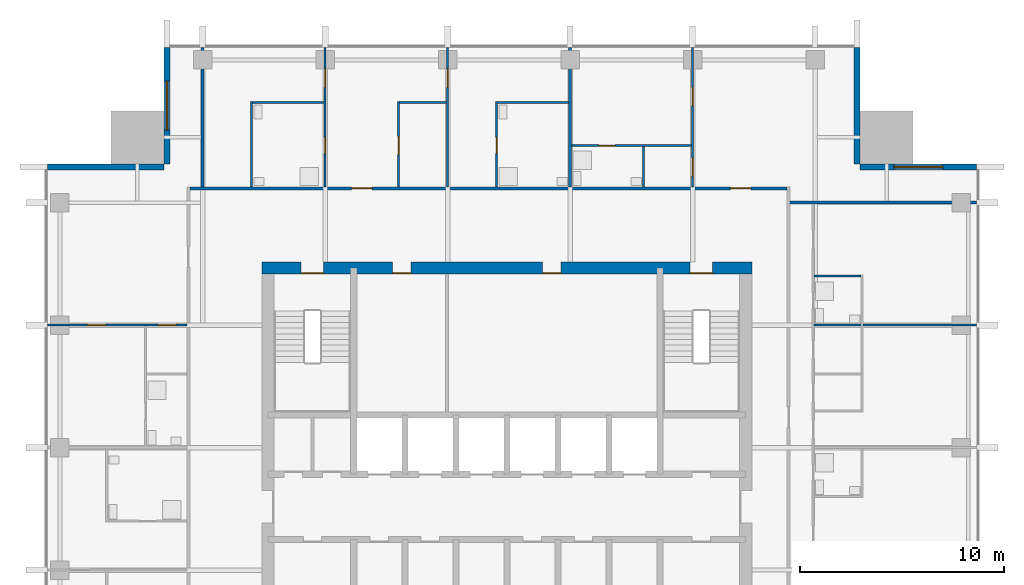
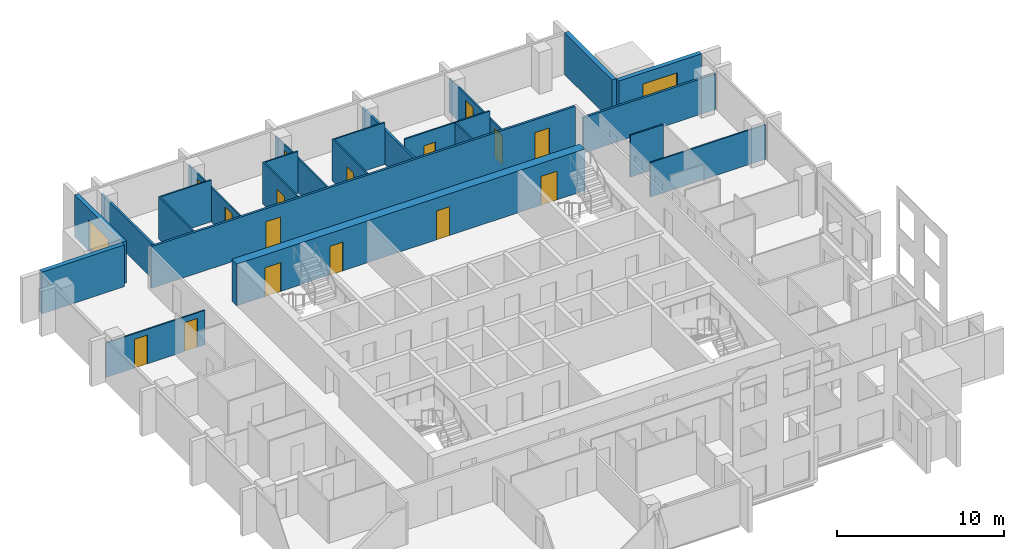
# One storey, part 7 of 11: 23 walls, 16 doors, 2 windows, 18 openings.
"""IFC4 building model written with IfcOpenShell, lengths in metres."""

from ifc_helpers import new_model, si_unit, direction, frame, frame_2d, origin, place, context, subcontext, project, spatial, rectangle, extrude, material, layer, layer_set, type_object, element, fill, save


model = new_model("IFC4")

# Units and contexts
model_context = context("Model", 3, precision=1e-05, world=origin(), true_north=direction((0.0, 1.0)))
body_context = subcontext(model_context, "Body", "Model", "MODEL_VIEW")
ifc_project = project(units=[si_unit("LENGTHUNIT", "METRE"), si_unit("AREAUNIT", "SQUARE_METRE"), si_unit("VOLUMEUNIT", "CUBIC_METRE"), si_unit("PLANEANGLEUNIT", "RADIAN"), si_unit("MASSUNIT", "GRAM", prefix="KILO")], contexts=[model_context])

# Site, building, storey
site_placement = place(None, origin())
site = spatial("IfcSite", under=ifc_project, at=site_placement, CompositionType="ELEMENT")
building_placement = place(site_placement, origin())
building = spatial("IfcBuilding", under=site, at=building_placement, Name="Amberfall Residences", CompositionType="ELEMENT")
storey_placement = place(building_placement, frame((0.0, 0.0, 196.89990234375)))
storey = spatial("IfcBuildingStorey", under=building, at=storey_placement, Name="L52", CompositionType="ELEMENT", Elevation=196.89990234375)

# Wall, opening, window
ifc_material_1 = material(Name="Pale stone cladding on insulated backing", Category="masonry")
ifc_layer_1 = layer(ifc_material_1, 0.300048828125)
ifc_layer_set_1 = layer_set([ifc_layer_1], Name="Bronze clad wall 300")
wall_type_1 = type_object("IfcWallType", Name="Bronze clad wall 300", PredefinedType="SOLIDWALL", material=ifc_layer_set_1)
wall_1_placement = place(storey_placement, frame((97.5, 62.14990234375, 0.0), z_axis=(0.0, 0.0, 1.0), x_axis=(-1.0, 0.0, 0.0)))
wall_1 = element("IfcWall", 1, at=wall_1_placement, inside=storey, type_object=wall_type_1, Name="External wall L52 NE", PredefinedType="SOLIDWALL", context=body_context, shape_type="SweptSolid", body=[
    extrude(rectangle(XDim=5.699951171875, YDim=0.300048828125, at=frame_2d((2.85009765625, 0.0))), origin(), (0.0, 0.0, 1.0), 3.050048828125),
])
opening_1_placement = place(wall_1_placement, frame((1.64990234375, 0.0, 0.14990234375)))
opening_1 = element("IfcOpeningElement", 2, at=opening_1_placement, cuts=wall_1, Name="Opening WN5", PredefinedType="OPENING", context=body_context, shape_type="SweptSolid", body=[
    extrude(rectangle(XDim=2.39990234375, YDim=2.10009765625, at=frame_2d((1.199951171875, 1.050048828125))), frame((0.0, 0.159912109375, 0.0), z_axis=(0.0, -1.0, 0.0), x_axis=(1.0, 0.0, 0.0)), (0.0, 0.0, 1.0), 0.320068359375),
])
ifc_material_2 = material(Name="Bronze aluminium framed glazing", Category="aluminium")
window_type = type_object("IfcWindowType", Name="Glazed opening 2400 x 2100 bronze", PartitioningType="DOUBLE_PANEL_VERTICAL", PredefinedType="WINDOW", material=ifc_material_2)
window_1_placement = place(opening_1_placement, origin())
window_1 = element("IfcWindow", 3, at=window_1_placement, inside=storey, type_object=window_type, Name="Window L52 NE", OverallHeight=2.10009765625, OverallWidth=2.39990234375, PartitioningType="DOUBLE_PANEL_VERTICAL", PredefinedType="WINDOW", context=body_context, shape_type="SweptSolid", body=[
    extrude(rectangle(XDim=2.39990234375, YDim=2.10009765625, at=frame_2d((1.199951171875, 1.050048828125))), frame((0.0, 0.030029296875, 0.0), z_axis=(0.0, -1.0, 0.0), x_axis=(1.0, 0.0, 0.0)), (0.0, 0.0, 1.0), 0.06005859375),
])
fill(opening_1, window_1)

# Wall
wall_2_placement = place(storey_placement, frame((91.64990234375, 62.300048828125, 0.0), z_axis=(0.0, 0.0, 1.0), x_axis=(0.0, 1.0, 0.0)))
element("IfcWall", 4, at=wall_2_placement, inside=storey, type_object=wall_type_1, Name="External wall L52 NE", PredefinedType="SOLIDWALL", context=body_context, shape_type="SweptSolid", body=[
    extrude(rectangle(XDim=5.699951171875, YDim=0.300048828125, at=frame_2d((2.85009765625, 0.0))), origin(), (0.0, 0.0, 1.0), 3.050048828125),
])

# Wall, opening, window
wall_3_placement = place(storey_placement, frame((57.85009765625, 68.0, 0.0), z_axis=(0.0, 0.0, 1.0), x_axis=(0.0, -1.0, 0.0)))
wall_3 = element("IfcWall", 5, at=wall_3_placement, inside=storey, type_object=wall_type_1, Name="External wall L52 NW", PredefinedType="SOLIDWALL", context=body_context, shape_type="SweptSolid", body=[
    extrude(rectangle(XDim=5.699951171875, YDim=0.300048828125, at=frame_2d((2.85009765625, 0.0))), origin(), (0.0, 0.0, 1.0), 3.050048828125),
])
opening_2_placement = place(wall_3_placement, frame((1.64990234375, 0.0, 0.14990234375)))
opening_2 = element("IfcOpeningElement", 6, at=opening_2_placement, cuts=wall_3, Name="Opening WN5", PredefinedType="OPENING", context=body_context, shape_type="SweptSolid", body=[
    extrude(rectangle(XDim=2.39990234375, YDim=2.10009765625, at=frame_2d((1.199951171875, 1.050048828125))), frame((0.0, 0.159912109375, 0.0), z_axis=(0.0, -1.0, 0.0), x_axis=(1.0, 0.0, 0.0)), (0.0, 0.0, 1.0), 0.320068359375),
])
window_2_placement = place(opening_2_placement, origin())
window_2 = element("IfcWindow", 7, at=window_2_placement, inside=storey, type_object=window_type, Name="Window L52 NW", OverallHeight=2.10009765625, OverallWidth=2.39990234375, PartitioningType="DOUBLE_PANEL_VERTICAL", PredefinedType="WINDOW", context=body_context, shape_type="SweptSolid", body=[
    extrude(rectangle(XDim=2.39990234375, YDim=2.10009765625, at=frame_2d((1.199951171875, 1.050048828125))), frame((0.0, 0.030029296875, 0.0), z_axis=(0.0, -1.0, 0.0), x_axis=(1.0, 0.0, 0.0)), (0.0, 0.0, 1.0), 0.06005859375),
])
fill(opening_2, window_2)

# Wall
wall_4_placement = place(storey_placement, frame((57.699951171875, 62.14990234375, 0.0), z_axis=(0.0, 0.0, 1.0), x_axis=(-1.0, 0.0, 0.0)))
element("IfcWall", 8, at=wall_4_placement, inside=storey, type_object=wall_type_1, Name="External wall L52 NW", PredefinedType="SOLIDWALL", context=body_context, shape_type="SweptSolid", body=[
    extrude(rectangle(XDim=5.699951171875, YDim=0.300048828125, at=frame_2d((2.85009765625, 0.0))), origin(), (0.0, 0.0, 1.0), 3.050048828125),
])

# Wall, openings, doors
ifc_material_3 = material(Name="Concrete C55", Category="concrete")
ifc_layer_2 = layer(ifc_material_3, 0.60009765625)
ifc_layer_set_2 = layer_set([ifc_layer_2], Name="Core wall 600 C55")
wall_type_2 = type_object("IfcWallType", Name="Core wall 600 C55", PredefinedType="SHEAR", material=ifc_layer_set_2)
wall_5_placement = place(storey_placement, frame((62.5, 57.199951171875, 0.0), z_axis=(0.0, 0.0, 1.0), x_axis=(1.0, 0.0, 0.0)))
wall_5 = element("IfcWall", 9, at=wall_5_placement, inside=storey, type_object=wall_type_2, Name="Core wall RW7 L52 ON", PredefinedType="SHEAR", context=body_context, shape_type="SweptSolid", body=[
    extrude(rectangle(XDim=24.0, YDim=0.60009765625, at=frame_2d((12.0, 0.0))), origin(), (0.0, 0.0, 1.0), 3.050048828125),
])
opening_3_placement = place(wall_5_placement, frame((20.97509765625, 0.0, 0.0)))
opening_3 = element("IfcOpeningElement", 10, at=opening_3_placement, cuts=wall_5, Name="Opening SD1", PredefinedType="OPENING", context=body_context, shape_type="SweptSolid", body=[
    extrude(rectangle(XDim=1.10009765625, YDim=2.10009765625, at=frame_2d((0.550048828125, 1.050048828125))), frame((0.0, 0.31005859375, 0.0), z_axis=(0.0, -1.0, 0.0), x_axis=(1.0, 0.0, 0.0)), (0.0, 0.0, 1.0), 0.6201171875),
])
opening_4_placement = place(wall_5_placement, frame((1.925048828125, 0.0, 0.0)))
opening_4 = element("IfcOpeningElement", 11, at=opening_4_placement, cuts=wall_5, Name="Opening SD1", PredefinedType="OPENING", context=body_context, shape_type="SweptSolid", body=[
    extrude(rectangle(XDim=1.10009765625, YDim=2.10009765625, at=frame_2d((0.550048828125, 1.050048828125))), frame((0.0, 0.31005859375, 0.0), z_axis=(0.0, -1.0, 0.0), x_axis=(1.0, 0.0, 0.0)), (0.0, 0.0, 1.0), 0.6201171875),
])
opening_5_placement = place(wall_5_placement, frame((6.405029296875, 0.0, 0.0)))
opening_5 = element("IfcOpeningElement", 12, at=opening_5_placement, cuts=wall_5, Name="Opening RD1", PredefinedType="OPENING", context=body_context, shape_type="SweptSolid", body=[
    extrude(rectangle(XDim=0.89990234375, YDim=2.10009765625, at=frame_2d((0.449951171875, 1.050048828125))), frame((0.0, 0.31005859375, 0.0), z_axis=(0.0, -1.0, 0.0), x_axis=(1.0, 0.0, 0.0)), (0.0, 0.0, 1.0), 0.6201171875),
])
opening_6_placement = place(wall_5_placement, frame((13.7548828125, 0.0, 0.0)))
opening_6 = element("IfcOpeningElement", 13, at=opening_6_placement, cuts=wall_5, Name="Opening RD1", PredefinedType="OPENING", context=body_context, shape_type="SweptSolid", body=[
    extrude(rectangle(XDim=0.89990234375, YDim=2.10009765625, at=frame_2d((0.449951171875, 1.050048828125))), frame((0.0, 0.31005859375, 0.0), z_axis=(0.0, -1.0, 0.0), x_axis=(1.0, 0.0, 0.0)), (0.0, 0.0, 1.0), 0.6201171875),
])
ifc_material_4 = material(Name="Steel fire door set", Category="steel")
door_type_1 = type_object("IfcDoorType", Name="Service room door 900 x 2100", OperationType="SINGLE_SWING_LEFT", PredefinedType="DOOR", material=ifc_material_4)
door_1_placement = place(opening_5_placement, origin())
door_1 = element("IfcDoor", 14, at=door_1_placement, inside=storey, type_object=door_type_1, Name="RD1 L52", OperationType="SINGLE_SWING_RIGHT", OverallHeight=2.10009765625, OverallWidth=0.89990234375, PredefinedType="DOOR", context=body_context, shape_type="SweptSolid", body=[
    extrude(rectangle(XDim=0.89990234375, YDim=2.10009765625, at=frame_2d((0.449951171875, 1.050048828125))), frame((0.0, -0.2373046875, 0.0), z_axis=(0.0, -1.0, 0.0), x_axis=(1.0, 0.0, 0.0)), (0.0, 0.0, 1.0), 0.050048828125),
])
fill(opening_5, door_1)
door_2_placement = place(opening_6_placement, origin())
door_2 = element("IfcDoor", 15, at=door_2_placement, inside=storey, type_object=door_type_1, Name="RD1 L52", OperationType="SINGLE_SWING_RIGHT", OverallHeight=2.10009765625, OverallWidth=0.89990234375, PredefinedType="DOOR", context=body_context, shape_type="SweptSolid", body=[
    extrude(rectangle(XDim=0.89990234375, YDim=2.10009765625, at=frame_2d((0.449951171875, 1.050048828125))), frame((0.0, -0.2373046875, 0.0), z_axis=(0.0, -1.0, 0.0), x_axis=(1.0, 0.0, 0.0)), (0.0, 0.0, 1.0), 0.050048828125),
])
fill(opening_6, door_2)
door_type_2 = type_object("IfcDoorType", Name="Stair door 1100 x 2100", OperationType="SINGLE_SWING_LEFT", PredefinedType="DOOR", material=ifc_material_4)
door_3_placement = place(opening_3_placement, origin())
door_3 = element("IfcDoor", 16, at=door_3_placement, inside=storey, type_object=door_type_2, Name="SD1 L52", OperationType="SINGLE_SWING_RIGHT", OverallHeight=2.10009765625, OverallWidth=1.10009765625, PredefinedType="DOOR", context=body_context, shape_type="SweptSolid", body=[
    extrude(rectangle(XDim=1.10009765625, YDim=2.10009765625, at=frame_2d((0.550048828125, 1.050048828125))), frame((0.0, -0.2373046875, 0.0), z_axis=(0.0, -1.0, 0.0), x_axis=(1.0, 0.0, 0.0)), (0.0, 0.0, 1.0), 0.050048828125),
])
fill(opening_3, door_3)
door_4_placement = place(opening_4_placement, origin())
door_4 = element("IfcDoor", 17, at=door_4_placement, inside=storey, type_object=door_type_2, Name="SD1 L52", OperationType="SINGLE_SWING_LEFT", OverallHeight=2.10009765625, OverallWidth=1.10009765625, PredefinedType="DOOR", context=body_context, shape_type="SweptSolid", body=[
    extrude(rectangle(XDim=1.10009765625, YDim=2.10009765625, at=frame_2d((0.550048828125, 1.050048828125))), frame((0.0, -0.2373046875, 0.0), z_axis=(0.0, -1.0, 0.0), x_axis=(1.0, 0.0, 0.0)), (0.0, 0.0, 1.0), 0.050048828125),
])
fill(opening_4, door_4)

# Wall
ifc_material_5 = material(Name="Gypsum board on metal stud")
ifc_layer_3 = layer(ifc_material_5, 0.10009765625)
ifc_layer_set_3 = layer_set([ifc_layer_3], Name="Flat partition 100")
wall_type_3 = type_object("IfcWallType", Name="Flat partition 100", PredefinedType="PARTITIONING", material=ifc_layer_set_3)
wall_6_placement = place(storey_placement, frame((62.0, 61.175048828125, 0.0), z_axis=(0.0, 0.0, 1.0), x_axis=(0.0, 1.0, 0.0)))
element("IfcWall", 18, at=wall_6_placement, inside=storey, type_object=wall_type_3, Name="Partition 005", PredefinedType="PARTITIONING", context=body_context, shape_type="SweptSolid", body=[
    extrude(rectangle(XDim=4.175048828125, YDim=0.10009765625, at=frame_2d((2.08740234375, 0.0))), origin(), (0.0, 0.0, 1.0), 3.050048828125),
])

# Wall, openings, doors
wall_7_placement = place(storey_placement, frame((65.60009765625, 61.175048828125, 0.0), z_axis=(0.0, 0.0, 1.0), x_axis=(0.0, 1.0, 0.0)))
wall_7 = element("IfcWall", 19, at=wall_7_placement, inside=storey, type_object=wall_type_3, Name="Partition 007", PredefinedType="PARTITIONING", context=body_context, shape_type="SweptSolid", body=[
    extrude(rectangle(XDim=6.824951171875, YDim=0.10009765625, at=frame_2d((3.41259765625, 0.0))), origin(), (0.0, 0.0, 1.0), 2.51611328125),
])
opening_7_placement = place(wall_7_placement, frame((4.875, 0.0, 0.0)))
opening_7 = element("IfcOpeningElement", 20, at=opening_7_placement, cuts=wall_7, Name="Opening D41", PredefinedType="OPENING", context=body_context, shape_type="SweptSolid", body=[
    extrude(rectangle(XDim=0.89990234375, YDim=2.10009765625, at=frame_2d((0.449951171875, 1.050048828125))), frame((0.0, 0.06005859375, 0.0), z_axis=(0.0, -1.0, 0.0), x_axis=(1.0, 0.0, 0.0)), (0.0, 0.0, 1.0), 0.1201171875),
])
opening_8_placement = place(wall_7_placement, frame((1.625, 0.0, 0.0)))
opening_8 = element("IfcOpeningElement", 21, at=opening_8_placement, cuts=wall_7, Name="Opening D42", PredefinedType="OPENING", context=body_context, shape_type="SweptSolid", body=[
    extrude(rectangle(XDim=0.800048828125, YDim=2.10009765625, at=frame_2d((0.39990234375, 1.050048828125))), frame((0.0, 0.06005859375, 0.0), z_axis=(0.0, -1.0, 0.0), x_axis=(1.0, 0.0, 0.0)), (0.0, 0.0, 1.0), 0.1201171875),
])
ifc_material_6 = material(Name="Timber", Category="wood")
door_type_3 = type_object("IfcDoorType", Name="Bathroom door 800 x 2100", OperationType="SINGLE_SWING_LEFT", PredefinedType="DOOR", material=ifc_material_6)
door_5_placement = place(opening_8_placement, origin())
door_5 = element("IfcDoor", 22, at=door_5_placement, inside=storey, type_object=door_type_3, Name="Door 5205 bath1", OperationType="SINGLE_SWING_LEFT", OverallHeight=2.10009765625, OverallWidth=0.800048828125, PredefinedType="DOOR", context=body_context, shape_type="SweptSolid", body=[
    extrude(rectangle(XDim=0.800048828125, YDim=2.10009765625, at=frame_2d((0.39990234375, 1.050048828125))), frame((0.0, 0.02490234375, 0.0), z_axis=(0.0, -1.0, 0.0), x_axis=(1.0, 0.0, 0.0)), (0.0, 0.0, 1.0), 0.050048828125),
])
fill(opening_8, door_5)
door_type_4 = type_object("IfcDoorType", Name="Internal door 900 x 2100", OperationType="SINGLE_SWING_LEFT", PredefinedType="DOOR", material=ifc_material_6)
door_6_placement = place(opening_7_placement, origin())
door_6 = element("IfcDoor", 23, at=door_6_placement, inside=storey, type_object=door_type_4, Name="Door 5205 bedroom1", OperationType="SINGLE_SWING_LEFT", OverallHeight=2.10009765625, OverallWidth=0.89990234375, PredefinedType="DOOR", context=body_context, shape_type="SweptSolid", body=[
    extrude(rectangle(XDim=0.89990234375, YDim=2.10009765625, at=frame_2d((0.449951171875, 1.050048828125))), frame((0.0, 0.02490234375, 0.0), z_axis=(0.0, -1.0, 0.0), x_axis=(1.0, 0.0, 0.0)), (0.0, 0.0, 1.0), 0.050048828125),
])
fill(opening_7, door_6)

# Wall, opening, door
wall_8_placement = place(storey_placement, frame((69.199951171875, 65.35009765625, 0.0), z_axis=(0.0, 0.0, 1.0), x_axis=(0.0, -1.0, 0.0)))
wall_8 = element("IfcWall", 24, at=wall_8_placement, inside=storey, type_object=wall_type_3, Name="Partition 009", PredefinedType="PARTITIONING", context=body_context, shape_type="SweptSolid", body=[
    extrude(rectangle(XDim=4.175048828125, YDim=0.10009765625, at=frame_2d((2.08740234375, 0.0))), origin(), (0.0, 0.0, 1.0), 3.050048828125),
])
opening_9_placement = place(wall_8_placement, frame((1.699951171875, 0.0, 0.0)))
opening_9 = element("IfcOpeningElement", 25, at=opening_9_placement, cuts=wall_8, Name="Opening D41", PredefinedType="OPENING", context=body_context, shape_type="SweptSolid", body=[
    extrude(rectangle(XDim=0.89990234375, YDim=2.10009765625, at=frame_2d((0.449951171875, 1.050048828125))), frame((0.0, 0.06005859375, 0.0), z_axis=(0.0, -1.0, 0.0), x_axis=(1.0, 0.0, 0.0)), (0.0, 0.0, 1.0), 0.1201171875),
])
door_7_placement = place(opening_9_placement, origin())
door_7 = element("IfcDoor", 26, at=door_7_placement, inside=storey, type_object=door_type_4, Name="Door 5205 kitchen", OperationType="SINGLE_SWING_LEFT", OverallHeight=2.10009765625, OverallWidth=0.89990234375, PredefinedType="DOOR", context=body_context, shape_type="SweptSolid", body=[
    extrude(rectangle(XDim=0.89990234375, YDim=2.10009765625, at=frame_2d((0.449951171875, 1.050048828125))), frame((0.0, 0.02490234375, 0.0), z_axis=(0.0, -1.0, 0.0), x_axis=(1.0, 0.0, 0.0)), (0.0, 0.0, 1.0), 0.050048828125),
])
fill(opening_9, door_7)

wall_9_placement = place(storey_placement, frame((71.60009765625, 68.0, 0.0), z_axis=(0.0, 0.0, 1.0), x_axis=(0.0, -1.0, 0.0)))
wall_9 = element("IfcWall", 27, at=wall_9_placement, inside=storey, type_object=wall_type_3, Name="Partition 010", PredefinedType="PARTITIONING", context=body_context, shape_type="SweptSolid", body=[
    extrude(rectangle(XDim=6.824951171875, YDim=0.10009765625, at=frame_2d((3.41259765625, 0.0))), origin(), (0.0, 0.0, 1.0), 2.51611328125),
])
opening_10_placement = place(wall_9_placement, frame((1.050048828125, 0.0, 0.0)))
opening_10 = element("IfcOpeningElement", 28, at=opening_10_placement, cuts=wall_9, Name="Opening D41", PredefinedType="OPENING", context=body_context, shape_type="SweptSolid", body=[
    extrude(rectangle(XDim=0.89990234375, YDim=2.10009765625, at=frame_2d((0.449951171875, 1.050048828125))), frame((0.0, 0.06005859375, 0.0), z_axis=(0.0, -1.0, 0.0), x_axis=(1.0, 0.0, 0.0)), (0.0, 0.0, 1.0), 0.1201171875),
])
door_8_placement = place(opening_10_placement, origin())
door_8 = element("IfcDoor", 29, at=door_8_placement, inside=storey, type_object=door_type_4, Name="Door 5205 bedroom2", OperationType="SINGLE_SWING_LEFT", OverallHeight=2.10009765625, OverallWidth=0.89990234375, PredefinedType="DOOR", context=body_context, shape_type="SweptSolid", body=[
    extrude(rectangle(XDim=0.89990234375, YDim=2.10009765625, at=frame_2d((0.449951171875, 1.050048828125))), frame((0.0, 0.02490234375, 0.0), z_axis=(0.0, -1.0, 0.0), x_axis=(1.0, 0.0, 0.0)), (0.0, 0.0, 1.0), 0.050048828125),
])
fill(opening_10, door_8)

wall_10_placement = place(storey_placement, frame((74.0, 65.35009765625, 0.0), z_axis=(0.0, 0.0, 1.0), x_axis=(0.0, -1.0, 0.0)))
wall_10 = element("IfcWall", 30, at=wall_10_placement, inside=storey, type_object=wall_type_3, Name="Partition 012", PredefinedType="PARTITIONING", context=body_context, shape_type="SweptSolid", body=[
    extrude(rectangle(XDim=4.175048828125, YDim=0.10009765625, at=frame_2d((2.08740234375, 0.0))), origin(), (0.0, 0.0, 1.0), 3.050048828125),
])
opening_11_placement = place(wall_10_placement, frame((1.75, 0.0, 0.0)))
opening_11 = element("IfcOpeningElement", 31, at=opening_11_placement, cuts=wall_10, Name="Opening D42", PredefinedType="OPENING", context=body_context, shape_type="SweptSolid", body=[
    extrude(rectangle(XDim=0.800048828125, YDim=2.10009765625, at=frame_2d((0.39990234375, 1.050048828125))), frame((0.0, 0.06005859375, 0.0), z_axis=(0.0, -1.0, 0.0), x_axis=(1.0, 0.0, 0.0)), (0.0, 0.0, 1.0), 0.1201171875),
])
door_9_placement = place(opening_11_placement, origin())
door_9 = element("IfcDoor", 32, at=door_9_placement, inside=storey, type_object=door_type_3, Name="Door 5205 bath2", OperationType="SINGLE_SWING_LEFT", OverallHeight=2.10009765625, OverallWidth=0.800048828125, PredefinedType="DOOR", context=body_context, shape_type="SweptSolid", body=[
    extrude(rectangle(XDim=0.800048828125, YDim=2.10009765625, at=frame_2d((0.39990234375, 1.050048828125))), frame((0.0, 0.02490234375, 0.0), z_axis=(0.0, -1.0, 0.0), x_axis=(1.0, 0.0, 0.0)), (0.0, 0.0, 1.0), 0.050048828125),
])
fill(opening_11, door_9)

# Wall
wall_11_placement = place(storey_placement, frame((81.199951171875, 61.175048828125, 0.0), z_axis=(0.0, 0.0, 1.0), x_axis=(0.0, 1.0, 0.0)))
element("IfcWall", 33, at=wall_11_placement, inside=storey, type_object=wall_type_3, Name="Partition 016", PredefinedType="PARTITIONING", context=body_context, shape_type="SweptSolid", body=[
    extrude(rectangle(XDim=1.974853515625, YDim=0.10009765625, at=frame_2d((0.9873046875, 0.0))), origin(), (0.0, 0.0, 1.0), 3.050048828125),
])

# Wall, openings, doors
wall_12_placement = place(storey_placement, frame((83.60009765625, 61.175048828125, 0.0), z_axis=(0.0, 0.0, 1.0), x_axis=(0.0, 1.0, 0.0)))
wall_12 = element("IfcWall", 34, at=wall_12_placement, inside=storey, type_object=wall_type_3, Name="Partition 018", PredefinedType="PARTITIONING", context=body_context, shape_type="SweptSolid", body=[
    extrude(rectangle(XDim=6.824951171875, YDim=0.10009765625, at=frame_2d((3.41259765625, 0.0))), origin(), (0.0, 0.0, 1.0), 2.51611328125),
])
opening_12_placement = place(wall_12_placement, frame((0.52490234375, 0.0, 0.0)))
opening_12 = element("IfcOpeningElement", 35, at=opening_12_placement, cuts=wall_12, Name="Opening D41", PredefinedType="OPENING", context=body_context, shape_type="SweptSolid", body=[
    extrude(rectangle(XDim=0.89990234375, YDim=2.10009765625, at=frame_2d((0.449951171875, 1.050048828125))), frame((0.0, 0.06005859375, 0.0), z_axis=(0.0, -1.0, 0.0), x_axis=(1.0, 0.0, 0.0)), (0.0, 0.0, 1.0), 0.1201171875),
])
opening_13_placement = place(wall_12_placement, frame((3.97509765625, 0.0, 0.0)))
opening_13 = element("IfcOpeningElement", 36, at=opening_13_placement, cuts=wall_12, Name="Opening D41", PredefinedType="OPENING", context=body_context, shape_type="SweptSolid", body=[
    extrude(rectangle(XDim=0.89990234375, YDim=2.10009765625, at=frame_2d((0.449951171875, 1.050048828125))), frame((0.0, 0.06005859375, 0.0), z_axis=(0.0, -1.0, 0.0), x_axis=(1.0, 0.0, 0.0)), (0.0, 0.0, 1.0), 0.1201171875),
])
door_10_placement = place(opening_12_placement, origin())
door_10 = element("IfcDoor", 37, at=door_10_placement, inside=storey, type_object=door_type_4, Name="Door 5206 kitchen", OperationType="SINGLE_SWING_LEFT", OverallHeight=2.10009765625, OverallWidth=0.89990234375, PredefinedType="DOOR", context=body_context, shape_type="SweptSolid", body=[
    extrude(rectangle(XDim=0.89990234375, YDim=2.10009765625, at=frame_2d((0.449951171875, 1.050048828125))), frame((0.0, 0.02490234375, 0.0), z_axis=(0.0, -1.0, 0.0), x_axis=(1.0, 0.0, 0.0)), (0.0, 0.0, 1.0), 0.050048828125),
])
fill(opening_12, door_10)
door_11_placement = place(opening_13_placement, origin())
door_11 = element("IfcDoor", 38, at=door_11_placement, inside=storey, type_object=door_type_4, Name="Door 5206 bedroom1", OperationType="SINGLE_SWING_LEFT", OverallHeight=2.10009765625, OverallWidth=0.89990234375, PredefinedType="DOOR", context=body_context, shape_type="SweptSolid", body=[
    extrude(rectangle(XDim=0.89990234375, YDim=2.10009765625, at=frame_2d((0.449951171875, 1.050048828125))), frame((0.0, 0.02490234375, 0.0), z_axis=(0.0, -1.0, 0.0), x_axis=(1.0, 0.0, 0.0)), (0.0, 0.0, 1.0), 0.050048828125),
])
fill(opening_13, door_11)

# Walls
wall_13_placement = place(storey_placement, frame((62.050048828125, 65.300048828125, 0.0), z_axis=(0.0, 0.0, 1.0), x_axis=(1.0, 0.0, 0.0)))
element("IfcWall", 39, at=wall_13_placement, inside=storey, type_object=wall_type_3, Name="Partition 025", PredefinedType="PARTITIONING", context=body_context, shape_type="SweptSolid", body=[
    extrude(rectangle(XDim=3.5, YDim=0.10009765625, at=frame_2d((1.75, 0.0))), origin(), (0.0, 0.0, 1.0), 3.050048828125),
])
wall_14_placement = place(storey_placement, frame((69.25, 65.300048828125, 0.0), z_axis=(0.0, 0.0, 1.0), x_axis=(1.0, 0.0, 0.0)))
element("IfcWall", 40, at=wall_14_placement, inside=storey, type_object=wall_type_3, Name="Partition 026", PredefinedType="PARTITIONING", context=body_context, shape_type="SweptSolid", body=[
    extrude(rectangle(XDim=2.300048828125, YDim=0.10009765625, at=frame_2d((1.14990234375, 0.0))), origin(), (0.0, 0.0, 1.0), 3.050048828125),
])
wall_15_placement = place(storey_placement, frame((74.050048828125, 65.300048828125, 0.0), z_axis=(0.0, 0.0, 1.0), x_axis=(1.0, 0.0, 0.0)))
element("IfcWall", 41, at=wall_15_placement, inside=storey, type_object=wall_type_3, Name="Partition 027", PredefinedType="PARTITIONING", context=body_context, shape_type="SweptSolid", body=[
    extrude(rectangle(XDim=3.474853515625, YDim=0.10009765625, at=frame_2d((1.7373046875, 0.0))), origin(), (0.0, 0.0, 1.0), 3.050048828125),
])

# Wall, opening, door
wall_16_placement = place(storey_placement, frame((83.550048828125, 63.199951171875, 0.0), z_axis=(0.0, 0.0, 1.0), x_axis=(-1.0, 0.0, 0.0)))
wall_16 = element("IfcWall", 42, at=wall_16_placement, inside=storey, type_object=wall_type_3, Name="Partition 028", PredefinedType="PARTITIONING", context=body_context, shape_type="SweptSolid", body=[
    extrude(rectangle(XDim=5.875, YDim=0.10009765625, at=frame_2d((2.9375, 0.0))), origin(), (0.0, 0.0, 1.0), 3.050048828125),
])
opening_14_placement = place(wall_16_placement, frame((3.75, 0.0, 0.0)))
opening_14 = element("IfcOpeningElement", 43, at=opening_14_placement, cuts=wall_16, Name="Opening D42", PredefinedType="OPENING", context=body_context, shape_type="SweptSolid", body=[
    extrude(rectangle(XDim=0.800048828125, YDim=2.10009765625, at=frame_2d((0.39990234375, 1.050048828125))), frame((0.0, 0.06005859375, 0.0), z_axis=(0.0, -1.0, 0.0), x_axis=(1.0, 0.0, 0.0)), (0.0, 0.0, 1.0), 0.1201171875),
])
door_12_placement = place(opening_14_placement, origin())
door_12 = element("IfcDoor", 44, at=door_12_placement, inside=storey, type_object=door_type_3, Name="Door 5206 bath1", OperationType="SINGLE_SWING_LEFT", OverallHeight=2.10009765625, OverallWidth=0.800048828125, PredefinedType="DOOR", context=body_context, shape_type="SweptSolid", body=[
    extrude(rectangle(XDim=0.800048828125, YDim=2.10009765625, at=frame_2d((0.39990234375, 1.050048828125))), frame((0.0, 0.02490234375, 0.0), z_axis=(0.0, -1.0, 0.0), x_axis=(1.0, 0.0, 0.0)), (0.0, 0.0, 1.0), 0.050048828125),
])
fill(opening_14, door_12)

# Wall
wall_17_placement = place(storey_placement, frame((89.550048828125, 56.800048828125, 0.0), z_axis=(0.0, 0.0, 1.0), x_axis=(1.0, 0.0, 0.0)))
element("IfcWall", 45, at=wall_17_placement, inside=storey, type_object=wall_type_3, Name="Partition 029", PredefinedType="PARTITIONING", context=body_context, shape_type="SweptSolid", body=[
    extrude(rectangle(XDim=2.300048828125, YDim=0.10009765625, at=frame_2d((1.14990234375, 0.0))), origin(), (0.0, 0.0, 1.0), 3.050048828125),
])

# Wall, openings, doors
wall_18_placement = place(storey_placement, frame((58.824951171875, 54.39990234375, 0.0), z_axis=(0.0, 0.0, 1.0), x_axis=(-1.0, 0.0, 0.0)))
wall_18 = element("IfcWall", 46, at=wall_18_placement, inside=storey, type_object=wall_type_3, Name="Partition 030", PredefinedType="PARTITIONING", context=body_context, shape_type="SweptSolid", body=[
    extrude(rectangle(XDim=6.824951171875, YDim=0.10009765625, at=frame_2d((3.41259765625, 0.0))), origin(), (0.0, 0.0, 1.0), 2.51611328125),
])
opening_15_placement = place(wall_18_placement, frame((0.52490234375, 0.0, 0.0)))
opening_15 = element("IfcOpeningElement", 47, at=opening_15_placement, cuts=wall_18, Name="Opening D41", PredefinedType="OPENING", context=body_context, shape_type="SweptSolid", body=[
    extrude(rectangle(XDim=0.89990234375, YDim=2.10009765625, at=frame_2d((0.449951171875, 1.050048828125))), frame((0.0, 0.06005859375, 0.0), z_axis=(0.0, -1.0, 0.0), x_axis=(1.0, 0.0, 0.0)), (0.0, 0.0, 1.0), 0.1201171875),
])
opening_16_placement = place(wall_18_placement, frame((3.97509765625, 0.0, 0.0)))
opening_16 = element("IfcOpeningElement", 48, at=opening_16_placement, cuts=wall_18, Name="Opening D41", PredefinedType="OPENING", context=body_context, shape_type="SweptSolid", body=[
    extrude(rectangle(XDim=0.89990234375, YDim=2.10009765625, at=frame_2d((0.449951171875, 1.050048828125))), frame((0.0, 0.06005859375, 0.0), z_axis=(0.0, -1.0, 0.0), x_axis=(1.0, 0.0, 0.0)), (0.0, 0.0, 1.0), 0.1201171875),
])
door_13_placement = place(opening_15_placement, origin())
door_13 = element("IfcDoor", 49, at=door_13_placement, inside=storey, type_object=door_type_4, Name="Door 5208 kitchen", OperationType="SINGLE_SWING_LEFT", OverallHeight=2.10009765625, OverallWidth=0.89990234375, PredefinedType="DOOR", context=body_context, shape_type="SweptSolid", body=[
    extrude(rectangle(XDim=0.89990234375, YDim=2.10009765625, at=frame_2d((0.449951171875, 1.050048828125))), frame((0.0, 0.02490234375, 0.0), z_axis=(0.0, -1.0, 0.0), x_axis=(1.0, 0.0, 0.0)), (0.0, 0.0, 1.0), 0.050048828125),
])
fill(opening_15, door_13)
door_14_placement = place(opening_16_placement, origin())
door_14 = element("IfcDoor", 50, at=door_14_placement, inside=storey, type_object=door_type_4, Name="Door 5208 bedroom1", OperationType="SINGLE_SWING_LEFT", OverallHeight=2.10009765625, OverallWidth=0.89990234375, PredefinedType="DOOR", context=body_context, shape_type="SweptSolid", body=[
    extrude(rectangle(XDim=0.89990234375, YDim=2.10009765625, at=frame_2d((0.449951171875, 1.050048828125))), frame((0.0, 0.02490234375, 0.0), z_axis=(0.0, -1.0, 0.0), x_axis=(1.0, 0.0, 0.0)), (0.0, 0.0, 1.0), 0.050048828125),
])
fill(opening_16, door_14)

# Walls
wall_19_placement = place(storey_placement, frame((89.550048828125, 54.39990234375, 0.0), z_axis=(0.0, 0.0, 1.0), x_axis=(1.0, 0.0, 0.0)))
element("IfcWall", 51, at=wall_19_placement, inside=storey, type_object=wall_type_3, Name="Partition 031", PredefinedType="PARTITIONING", context=body_context, shape_type="SweptSolid", body=[
    extrude(rectangle(XDim=7.949951171875, YDim=0.10009765625, at=frame_2d((3.97509765625, 0.0))), origin(), (0.0, 0.0, 1.0), 2.51611328125),
])
ifc_material_7 = material(Name="Blockwork, plastered", Category="masonry")
ifc_layer_4 = layer(ifc_material_7, 0.14990234375)
ifc_layer_set_4 = layer_set([ifc_layer_4], Name="Flat separating wall 150")
wall_type_4 = type_object("IfcWallType", Name="Flat separating wall 150", PredefinedType="PARTITIONING", material=ifc_layer_set_4)
wall_20_placement = place(storey_placement, frame((59.60009765625, 61.175048828125, 0.0), z_axis=(0.0, 0.0, 1.0), x_axis=(0.0, 1.0, 0.0)))
element("IfcWall", 52, at=wall_20_placement, inside=storey, type_object=wall_type_4, Name="Separating wall 050", PredefinedType="PARTITIONING", context=body_context, shape_type="SweptSolid", body=[
    extrude(rectangle(XDim=6.824951171875, YDim=0.14990234375, at=frame_2d((3.41259765625, 0.0))), origin(), (0.0, 0.0, 1.0), 2.510009765625),
])
wall_21_placement = place(storey_placement, frame((77.60009765625, 61.175048828125, 0.0), z_axis=(0.0, 0.0, 1.0), x_axis=(0.0, 1.0, 0.0)))
element("IfcWall", 53, at=wall_21_placement, inside=storey, type_object=wall_type_4, Name="Separating wall 052", PredefinedType="PARTITIONING", context=body_context, shape_type="SweptSolid", body=[
    extrude(rectangle(XDim=6.824951171875, YDim=0.14990234375, at=frame_2d((3.41259765625, 0.0))), origin(), (0.0, 0.0, 1.0), 2.51611328125),
])

# Wall, openings, doors
wall_22_placement = place(storey_placement, frame((58.97509765625, 61.10009765625, 0.0), z_axis=(0.0, 0.0, 1.0), x_axis=(1.0, 0.0, 0.0)))
wall_22 = element("IfcWall", 54, at=wall_22_placement, inside=storey, type_object=wall_type_4, Name="Separating wall 055", PredefinedType="PARTITIONING", context=body_context, shape_type="SweptSolid", body=[
    extrude(rectangle(XDim=29.25, YDim=0.14990234375, at=frame_2d((14.625, 0.0))), origin(), (0.0, 0.0, 1.0), 3.050048828125),
])
opening_17_placement = place(wall_22_placement, frame((7.925048828125, 0.0, 0.0)))
opening_17 = element("IfcOpeningElement", 55, at=opening_17_placement, cuts=wall_22, Name="Opening D40", PredefinedType="OPENING", context=body_context, shape_type="SweptSolid", body=[
    extrude(rectangle(XDim=1.0, YDim=2.10009765625, at=frame_2d((0.5, 1.050048828125))), frame((0.0, 0.0849609375, 0.0), z_axis=(0.0, -1.0, 0.0), x_axis=(1.0, 0.0, 0.0)), (0.0, 0.0, 1.0), 0.169921875),
])
opening_18_placement = place(wall_22_placement, frame((26.47509765625, 0.0, 0.0)))
opening_18 = element("IfcOpeningElement", 56, at=opening_18_placement, cuts=wall_22, Name="Opening D40", PredefinedType="OPENING", context=body_context, shape_type="SweptSolid", body=[
    extrude(rectangle(XDim=1.0, YDim=2.10009765625, at=frame_2d((0.5, 1.050048828125))), frame((0.0, 0.0849609375, 0.0), z_axis=(0.0, -1.0, 0.0), x_axis=(1.0, 0.0, 0.0)), (0.0, 0.0, 1.0), 0.169921875),
])
ifc_material_8 = material(Name="Timber, fire-rated", Category="wood")
door_type_5 = type_object("IfcDoorType", Name="Flat entrance door FD60 1000 x 2100", OperationType="SINGLE_SWING_LEFT", PredefinedType="DOOR", material=ifc_material_8)
door_15_placement = place(opening_17_placement, origin())
door_15 = element("IfcDoor", 57, at=door_15_placement, inside=storey, type_object=door_type_5, Name="Door 5205 entrance", OperationType="SINGLE_SWING_LEFT", OverallHeight=2.10009765625, OverallWidth=1.0, PredefinedType="DOOR", context=body_context, shape_type="SweptSolid", body=[
    extrude(rectangle(XDim=1.0, YDim=2.10009765625, at=frame_2d((0.5, 1.050048828125))), frame((0.0, 0.02490234375, 0.0), z_axis=(0.0, -1.0, 0.0), x_axis=(1.0, 0.0, 0.0)), (0.0, 0.0, 1.0), 0.050048828125),
])
fill(opening_17, door_15)
door_16_placement = place(opening_18_placement, origin())
door_16 = element("IfcDoor", 58, at=door_16_placement, inside=storey, type_object=door_type_5, Name="Door 5206 entrance", OperationType="SINGLE_SWING_LEFT", OverallHeight=2.10009765625, OverallWidth=1.0, PredefinedType="DOOR", context=body_context, shape_type="SweptSolid", body=[
    extrude(rectangle(XDim=1.0, YDim=2.10009765625, at=frame_2d((0.5, 1.050048828125))), frame((0.0, 0.02490234375, 0.0), z_axis=(0.0, -1.0, 0.0), x_axis=(1.0, 0.0, 0.0)), (0.0, 0.0, 1.0), 0.050048828125),
])
fill(opening_18, door_16)

# Wall
wall_23_placement = place(storey_placement, frame((88.375, 60.39990234375, 0.0), z_axis=(0.0, 0.0, 1.0), x_axis=(1.0, 0.0, 0.0)))
element("IfcWall", 59, at=wall_23_placement, inside=storey, type_object=wall_type_4, Name="Separating wall 056", PredefinedType="PARTITIONING", context=body_context, shape_type="SweptSolid", body=[
    extrude(rectangle(XDim=9.125, YDim=0.14990234375, at=frame_2d((4.5625, 0.0))), origin(), (0.0, 0.0, 1.0), 2.590087890625),
])

save(model, "model.ifc")
